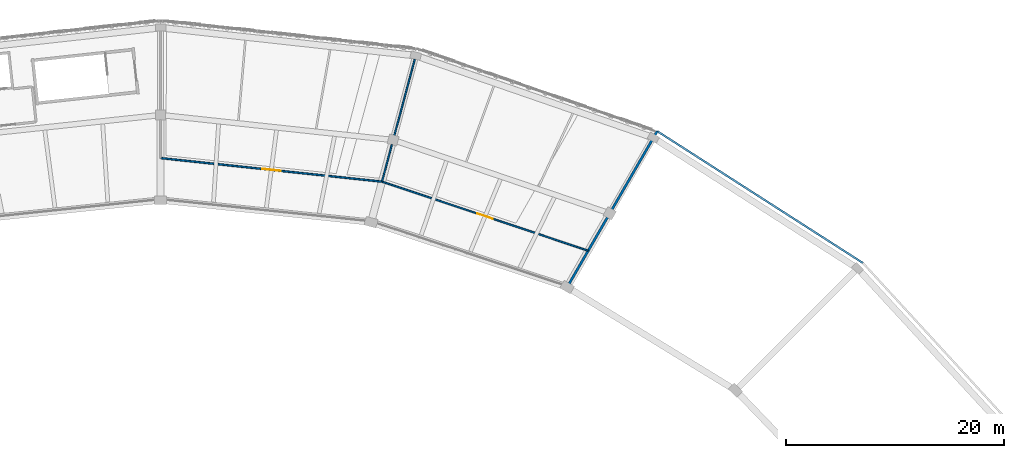
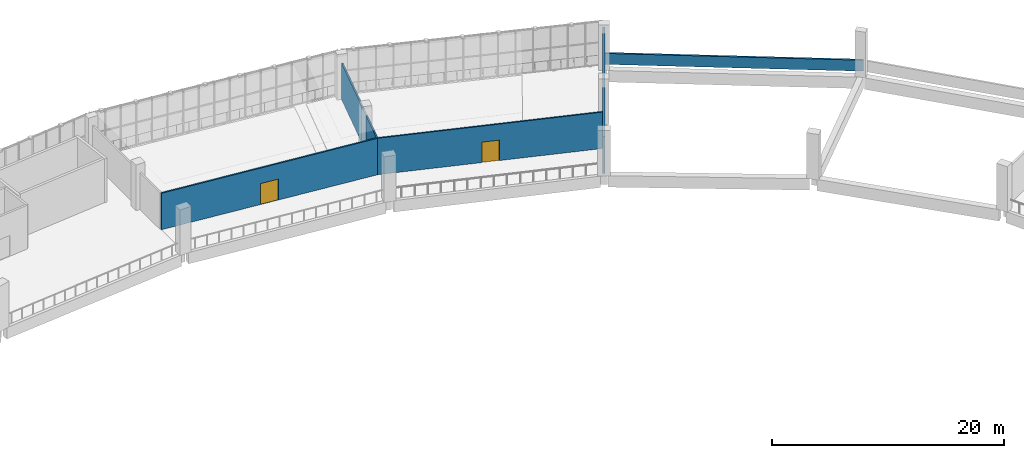
# One storey, part 49 of 64: 6 walls, 2 doors, 2 openings.
"""IFC4 building model written with IfcOpenShell, lengths in metres."""

from ifc_helpers import new_model, si_unit, direction, frame, frame_2d, origin, place, context, subcontext, project, spatial, rectangle, extrude, material, layer, layer_set, type_object, element, fill, save


model = new_model("IFC4")

# Units and contexts
model_context = context("Model", 3, precision=1e-05, world=origin(), true_north=direction((0.0, 1.0)))
body_context = subcontext(model_context, "Body", "Model", "MODEL_VIEW")
ifc_project = project(units=[si_unit("LENGTHUNIT", "METRE"), si_unit("AREAUNIT", "SQUARE_METRE"), si_unit("VOLUMEUNIT", "CUBIC_METRE"), si_unit("PLANEANGLEUNIT", "RADIAN"), si_unit("MASSUNIT", "GRAM", prefix="KILO")], contexts=[model_context])

# Site, building, storey
site_placement = place(None, origin())
site = spatial("IfcSite", under=ifc_project, at=site_placement, CompositionType="ELEMENT")
building_placement = place(site_placement, origin())
building = spatial("IfcBuilding", under=site, at=building_placement, Name="Zevraka Park Crest Stadium", CompositionType="ELEMENT")
storey_placement = place(building_placement, frame((0.0, 0.0, 24.60009765625)))
storey = spatial("IfcBuildingStorey", under=building, at=storey_placement, Name="L05", CompositionType="ELEMENT", Elevation=24.60009765625)

# Wall, opening, door
ifc_material_1 = material(Name="Fire-rated twin-stud acoustic drywall", Category="other")
ifc_layer_1 = layer(ifc_material_1, 0.139892578125)
ifc_layer_set_1 = layer_set([ifc_layer_1], Name="Fire-rated twin-stud acoustic drywall")
wall_type_1 = type_object("IfcWallType", Name="IW03", PredefinedType="PARTITIONING", material=ifc_layer_set_1)
wall_1_placement = place(storey_placement, frame((151.175048828125, 146.863037109375, 0.0), z_axis=(0.0, 0.0, 1.0), x_axis=(-0.948247492377, 0.317532192384, 0.0)))
wall_1 = element("IfcWall", 1, at=wall_1_placement, inside=storey, type_object=wall_type_1, Name="Interior Partition IW03 Match Commentary Box L05", PredefinedType="PARTITIONING", context=body_context, shape_type="SweptSolid", body=[
    extrude(rectangle(XDim=19.92822265625, YDim=0.139892578125, at=frame_2d((9.964111328125, 0.0))), origin(), (0.0, 0.0, 1.0), 3.83984375),
])
opening_1_placement = place(wall_1_placement, frame((9.214111328125, 0.0, 0.0)))
opening_1 = element("IfcOpeningElement", 2, at=opening_1_placement, cuts=wall_1, Name="Opening D-L05-493", PredefinedType="OPENING", context=body_context, shape_type="SweptSolid", body=[
    extrude(rectangle(XDim=1.5, YDim=2.14990234375, at=frame_2d((0.75, 1.074951171875))), frame((0.0, 0.079833984375, 0.0), z_axis=(0.0, -1.0, 0.0), x_axis=(1.0, 0.0, 0.0)), (0.0, 0.0, 1.0), 0.159912109375),
])
ifc_material_2 = material(Name="Solid-core hardwood timber leaf in steel frame", Category="steel")
door_type_1 = type_object("IfcDoorType", Name="DR13", OperationType="NOTDEFINED", PredefinedType="DOOR", material=ifc_material_2)
door_1_placement = place(opening_1_placement, origin())
door_1 = element("IfcDoor", 3, at=door_1_placement, inside=storey, type_object=door_type_1, Name="Match Commentary Box Door D-L05-493", OperationType="DOUBLE_DOOR_SINGLE_SWING", OverallHeight=2.14990234375, OverallWidth=1.5, PredefinedType="DOOR", context=body_context, shape_type="SweptSolid", body=[
    extrude(rectangle(XDim=1.5, YDim=2.14990234375, at=frame_2d((0.75, 1.074951171875))), frame((0.0, 0.02490234375, 0.0), z_axis=(0.0, -1.0, 0.0), x_axis=(1.0, 0.0, 0.0)), (0.0, 0.0, 1.0), 0.050048828125),
])
fill(opening_1, door_1)

# Walls
wall_2_placement = place(storey_placement, frame((132.278076171875, 153.19091796875, 0.0), z_axis=(0.0, 0.0, 1.0), x_axis=(0.258807819197, 0.965928834191, 0.0)))
element("IfcWall", 4, at=wall_2_placement, inside=storey, type_object=wall_type_1, Name="Interior Partition IW03 Match Commentary Box L05", PredefinedType="PARTITIONING", context=body_context, shape_type="SweptSolid", body=[
    extrude(rectangle(XDim=3.515869140625, YDim=0.139892578125, at=frame_2d((1.7578125, 0.0))), origin(), (0.0, 0.0, 1.0), 3.83984375),
])
wall_3_placement = place(storey_placement, frame((133.18408203125, 156.572998046875, 0.0), z_axis=(0.0, 0.0, 1.0), x_axis=(0.258995474122, 0.965878535006, 0.0)))
element("IfcWall", 5, at=wall_3_placement, inside=storey, type_object=wall_type_1, Name="Interior Partition IW03 Match Commentary Box L05", PredefinedType="PARTITIONING", context=body_context, shape_type="SweptSolid", body=[
    extrude(rectangle(XDim=8.138671875, YDim=0.139892578125, at=frame_2d((4.0693359375, 0.0))), origin(), (0.0, 0.0, 1.0), 3.83984375),
])

# Wall, opening, door
ifc_material_3 = material(Name="Fire-rated twin-stud acoustic drywall", Category="other")
ifc_layer_2 = layer(ifc_material_3, 0.14990234375)
ifc_layer_set_2 = layer_set([ifc_layer_2], Name="Fire-rated twin-stud acoustic drywall")
wall_type_2 = type_object("IfcWallType", Name="IW05", PredefinedType="PARTITIONING", material=ifc_layer_set_2)
wall_4_placement = place(storey_placement, frame((132.278076171875, 153.19091796875, 0.0), z_axis=(0.0, 0.0, 1.0), x_axis=(-0.994378914246, 0.105880002379, 0.0)))
wall_4 = element("IfcWall", 6, at=wall_4_placement, inside=storey, type_object=wall_type_2, Name="Interior Partition IW05 Venue Operations and Fire Command Centre L05", PredefinedType="PARTITIONING", context=body_context, shape_type="SweptSolid", body=[
    extrude(rectangle(XDim=20.392822265625, YDim=0.14990234375, at=frame_2d((10.1962890625, 0.0))), origin(), (0.0, 0.0, 1.0), 3.83984375),
])
opening_2_placement = place(wall_4_placement, frame((9.345947265625, 0.0, 0.0)))
opening_2 = element("IfcOpeningElement", 7, at=opening_2_placement, cuts=wall_4, Name="Opening D-L05-494", PredefinedType="OPENING", context=body_context, shape_type="SweptSolid", body=[
    extrude(rectangle(XDim=1.699951171875, YDim=2.199951171875, at=frame_2d((0.85009765625, 1.10009765625))), frame((0.0, 0.0849609375, 0.0), z_axis=(0.0, -1.0, 0.0), x_axis=(1.0, 0.0, 0.0)), (0.0, 0.0, 1.0), 0.169921875),
])
ifc_material_4 = material(Name="Solid-core hardwood timber leaf in steel frame", Category="steel")
door_type_2 = type_object("IfcDoorType", Name="DR14", OperationType="NOTDEFINED", PredefinedType="DOOR", material=ifc_material_4)
door_2_placement = place(opening_2_placement, origin())
door_2 = element("IfcDoor", 8, at=door_2_placement, inside=storey, type_object=door_type_2, Name="Venue Operations and Fire Command Centre Door D-L05-494", OperationType="DOUBLE_DOOR_SINGLE_SWING", OverallHeight=2.199951171875, OverallWidth=1.699951171875, PredefinedType="DOOR", context=body_context, shape_type="SweptSolid", body=[
    extrude(rectangle(XDim=1.699951171875, YDim=2.199951171875, at=frame_2d((0.85009765625, 1.10009765625))), frame((0.0, 0.02490234375, 0.0), z_axis=(0.0, -1.0, 0.0), x_axis=(1.0, 0.0, 0.0)), (0.0, 0.0, 1.0), 0.050048828125),
])
fill(opening_2, door_2)

# Walls
ifc_material_5 = material(Name="Precast concrete C40/50", Category="concrete")
ifc_layer_3 = layer(ifc_material_5, 0.219970703125)
ifc_layer_set_3 = layer_set([ifc_layer_3], Name="Precast concrete C40/50")
wall_type_3 = type_object("IfcWallType", Name="PW01", PredefinedType="PARAPET", material=ifc_layer_set_3)
wall_5_placement = place(storey_placement, frame((149.25, 143.529052734375, 0.0), z_axis=(0.0, 0.0, 1.0), x_axis=(0.500009360108, 0.866019999656, 0.0)))
element("IfcWall", 9, at=wall_5_placement, inside=storey, type_object=wall_type_3, Name="Crown Tribune End Closure Wall PW01 04", PredefinedType="PARAPET", context=body_context, shape_type="SweptSolid", body=[
    extrude(rectangle(XDim=16.499755859375, YDim=0.219970703125, at=frame_2d((8.25, 0.0))), origin(), (0.0, 0.0, 1.0), 3.889892578125),
])
ifc_material_6 = material(Name="Precast concrete C40/50", Category="concrete")
ifc_layer_4 = layer(ifc_material_6, 0.179931640625)
ifc_layer_set_4 = layer_set([ifc_layer_4], Name="Precast concrete C40/50")
wall_type_4 = type_object("IfcWallType", Name="PW02", PredefinedType="PARAPET", material=ifc_layer_set_4)
wall_6_placement = place(storey_placement, frame((176.346923828125, 145.739990234375, 0.0), z_axis=(0.0, 0.0, 1.0), x_axis=(-0.841944820425, 0.539563637914, 0.0)))
element("IfcWall", 10, at=wall_6_placement, inside=storey, type_object=wall_type_4, Name="Setback Roof Parapet Wall PW02 03", PredefinedType="PARAPET", context=body_context, shape_type="SweptSolid", body=[
    extrude(rectangle(XDim=22.385009765625, YDim=0.179931640625, at=frame_2d((11.1923828125, 0.0))), origin(), (0.0, 0.0, 1.0), 1.14990234375),
])

save(model, "model.ifc")
